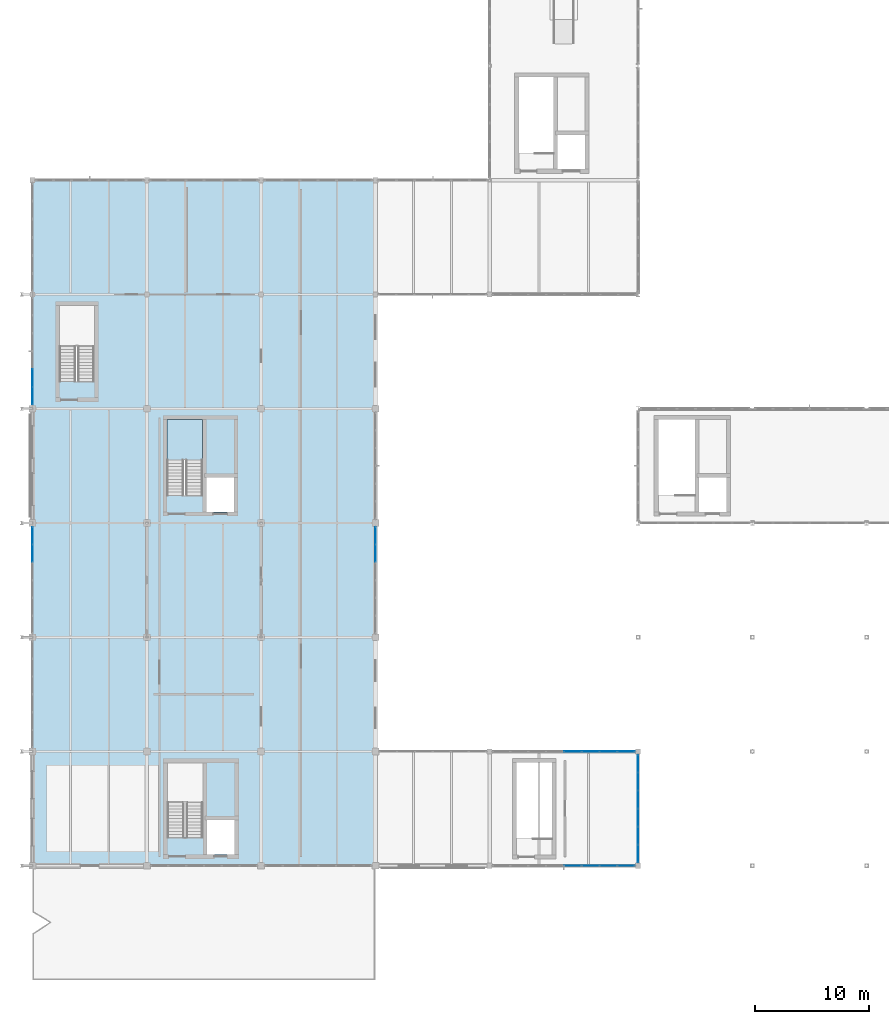
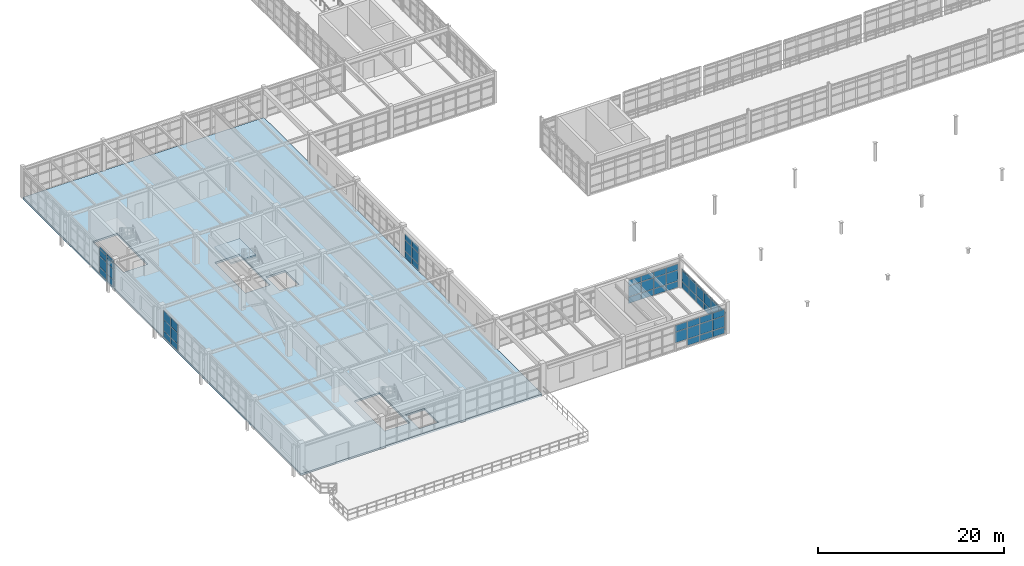
# One storey, part 75 of 122: 61 plates, 2 slabs, 7 elements without a shape of their own.
"""IFC4 building model written with IfcOpenShell, lengths in metres."""

from ifc_helpers import new_model, si_unit, direction, frame, origin, origin_2d, place, context, subcontext, project, spatial, polyline, rectangle, outline, extrude, material, layer, layer_set, type_object, element, aggregate, save


model = new_model("IFC4")

# Units and contexts
model_context = context("Model", 3, precision=1e-05, world=origin(), true_north=direction((0.0, 1.0)))
body_context = subcontext(model_context, "Body", "Model", "MODEL_VIEW")
ifc_project = project(units=[si_unit("LENGTHUNIT", "METRE"), si_unit("AREAUNIT", "SQUARE_METRE"), si_unit("VOLUMEUNIT", "CUBIC_METRE"), si_unit("PLANEANGLEUNIT", "RADIAN"), si_unit("MASSUNIT", "GRAM", prefix="KILO"), si_unit("THERMODYNAMICTEMPERATUREUNIT", "KELVIN"), si_unit("POWERUNIT", "WATT")], contexts=[model_context])

# Site, building, storey
site_placement = place(None, origin())
site = spatial("IfcSite", under=ifc_project, at=site_placement, CompositionType="ELEMENT")
building_placement = place(site_placement, origin())
building = spatial("IfcBuilding", under=site, at=building_placement, Name="Korenveer Ferry Terminal", CompositionType="ELEMENT")
storey_placement = place(building_placement, frame((0.0, 0.0, 10.199951171875)))
storey = spatial("IfcBuildingStorey", under=building, at=storey_placement, Name="L02", CompositionType="ELEMENT", Elevation=10.199951171875)

# Curtain wall, plates
ifc_material_1 = material(Name="Unitised bronze-and-glass curtain wall", Category="glass")
ifc_layer_1 = layer(ifc_material_1, 0.159912109375)
ifc_layer_set_1 = layer_set([ifc_layer_1], Name="Unitised bronze-and-glass curtain wall")
curtain_wall_type_1 = type_object("IfcCurtainWallType", Name="ENV-CW-84", PredefinedType="USERDEFINED", material=ifc_layer_set_1)
curtain_wall_1_placement = place(storey_placement, frame((40.2548828125, 20.0, 0.0)))
curtain_wall_1 = element("IfcCurtainWall", 1, at=curtain_wall_1_placement, inside=storey, type_object=curtain_wall_type_1, Name="Lancet curtain wall CWX-L02-X40-53-Y20-20", ObjectType="UNITISED CURTAIN WALL", PredefinedType="USERDEFINED")
ifc_material_2 = material(Name="Low-iron solar-control double glazing", Category="glass")
ifc_layer_2 = layer(ifc_material_2, 0.028076171875)
ifc_layer_set_2 = layer_set([ifc_layer_2], Name="Low-iron solar-control double glazing")
plate_type = type_object("IfcPlateType", Name="ENV-CWP-GLZ28", PredefinedType="CURTAIN_PANEL", material=ifc_layer_set_2)
plate_1_placement = place(storey_placement, frame((47.280517578125, 20.0, 0.93017578125), z_axis=(0.0, 0.0, 1.0), x_axis=(1.0, 0.0, 0.0)))
plate_1 = element("IfcPlate", 2, at=plate_1_placement, type_object=plate_type, Name="CW-84 panel 5.2", PredefinedType="CURTAIN_PANEL", context=body_context, shape_type="SweptSolid", body=[
    extrude(rectangle(XDim=1.501220703125, YDim=0.028076171875, at=origin_2d()), origin(), (0.0, 0.0, 1.0), 1.389892578125),
])
plate_2_placement = place(storey_placement, frame((47.280517578125, 20.0, 2.3798828125), z_axis=(0.0, 0.0, 1.0), x_axis=(1.0, 0.0, 0.0)))
plate_2 = element("IfcPlate", 3, at=plate_2_placement, type_object=plate_type, Name="CW-84 panel 5.3", PredefinedType="CURTAIN_PANEL", context=body_context, shape_type="SweptSolid", body=[
    extrude(rectangle(XDim=1.501220703125, YDim=0.028076171875, at=origin_2d()), origin(), (0.0, 0.0, 1.0), 0.840087890625),
])
plate_3_placement = place(storey_placement, frame((48.841796875, 20.0, 0.06005859375), z_axis=(0.0, 0.0, 1.0), x_axis=(1.0, 0.0, 0.0)))
plate_3 = element("IfcPlate", 4, at=plate_3_placement, type_object=plate_type, Name="CW-84 panel 6.1", PredefinedType="CURTAIN_PANEL", context=body_context, shape_type="SweptSolid", body=[
    extrude(rectangle(XDim=1.501220703125, YDim=0.028076171875, at=origin_2d()), origin(), (0.0, 0.0, 1.0), 0.81005859375),
])
plate_4_placement = place(storey_placement, frame((48.841796875, 20.0, 0.93017578125), z_axis=(0.0, 0.0, 1.0), x_axis=(1.0, 0.0, 0.0)))
plate_4 = element("IfcPlate", 5, at=plate_4_placement, type_object=plate_type, Name="CW-84 panel 6.2", PredefinedType="CURTAIN_PANEL", context=body_context, shape_type="SweptSolid", body=[
    extrude(rectangle(XDim=1.501220703125, YDim=0.028076171875, at=origin_2d()), origin(), (0.0, 0.0, 1.0), 1.389892578125),
])
plate_5_placement = place(storey_placement, frame((48.841796875, 20.0, 2.3798828125), z_axis=(0.0, 0.0, 1.0), x_axis=(1.0, 0.0, 0.0)))
plate_5 = element("IfcPlate", 6, at=plate_5_placement, type_object=plate_type, Name="CW-84 panel 6.3", PredefinedType="CURTAIN_PANEL", context=body_context, shape_type="SweptSolid", body=[
    extrude(rectangle(XDim=1.501220703125, YDim=0.028076171875, at=origin_2d()), origin(), (0.0, 0.0, 1.0), 0.840087890625),
])
plate_6_placement = place(storey_placement, frame((50.403076171875, 20.0, 0.06005859375), z_axis=(0.0, 0.0, 1.0), x_axis=(1.0, 0.0, 0.0)))
plate_6 = element("IfcPlate", 7, at=plate_6_placement, type_object=plate_type, Name="CW-84 panel 7.1", PredefinedType="CURTAIN_PANEL", context=body_context, shape_type="SweptSolid", body=[
    extrude(rectangle(XDim=1.501220703125, YDim=0.028076171875, at=origin_2d()), origin(), (0.0, 0.0, 1.0), 0.81005859375),
])
plate_7_placement = place(storey_placement, frame((50.403076171875, 20.0, 0.93017578125), z_axis=(0.0, 0.0, 1.0), x_axis=(1.0, 0.0, 0.0)))
plate_7 = element("IfcPlate", 8, at=plate_7_placement, type_object=plate_type, Name="CW-84 panel 7.2", PredefinedType="CURTAIN_PANEL", context=body_context, shape_type="SweptSolid", body=[
    extrude(rectangle(XDim=1.501220703125, YDim=0.028076171875, at=origin_2d()), origin(), (0.0, 0.0, 1.0), 1.389892578125),
])
plate_8_placement = place(storey_placement, frame((50.403076171875, 20.0, 2.3798828125), z_axis=(0.0, 0.0, 1.0), x_axis=(1.0, 0.0, 0.0)))
plate_8 = element("IfcPlate", 9, at=plate_8_placement, type_object=plate_type, Name="CW-84 panel 7.3", PredefinedType="CURTAIN_PANEL", context=body_context, shape_type="SweptSolid", body=[
    extrude(rectangle(XDim=1.501220703125, YDim=0.028076171875, at=origin_2d()), origin(), (0.0, 0.0, 1.0), 0.840087890625),
])
plate_9_placement = place(storey_placement, frame((51.949462890625, 20.0, 0.06005859375), z_axis=(0.0, 0.0, 1.0), x_axis=(1.0, 0.0, 0.0)))
plate_9 = element("IfcPlate", 10, at=plate_9_placement, type_object=plate_type, Name="CW-84 panel 8.1", PredefinedType="CURTAIN_PANEL", context=body_context, shape_type="SweptSolid", body=[
    extrude(rectangle(XDim=1.47119140625, YDim=0.028076171875, at=origin_2d()), origin(), (0.0, 0.0, 1.0), 0.81005859375),
])
plate_10_placement = place(storey_placement, frame((51.949462890625, 20.0, 0.93017578125), z_axis=(0.0, 0.0, 1.0), x_axis=(1.0, 0.0, 0.0)))
plate_10 = element("IfcPlate", 11, at=plate_10_placement, type_object=plate_type, Name="CW-84 panel 8.2", PredefinedType="CURTAIN_PANEL", context=body_context, shape_type="SweptSolid", body=[
    extrude(rectangle(XDim=1.47119140625, YDim=0.028076171875, at=origin_2d()), origin(), (0.0, 0.0, 1.0), 1.389892578125),
])
plate_11_placement = place(storey_placement, frame((51.949462890625, 20.0, 2.3798828125), z_axis=(0.0, 0.0, 1.0), x_axis=(1.0, 0.0, 0.0)))
plate_11 = element("IfcPlate", 12, at=plate_11_placement, type_object=plate_type, Name="CW-84 panel 8.3", PredefinedType="CURTAIN_PANEL", context=body_context, shape_type="SweptSolid", body=[
    extrude(rectangle(XDim=1.47119140625, YDim=0.028076171875, at=origin_2d()), origin(), (0.0, 0.0, 1.0), 0.840087890625),
])
aggregate(curtain_wall_1, [plate_1, plate_2, plate_3, plate_4, plate_5, plate_6, plate_7, plate_8, plate_9, plate_10, plate_11])

ifc_layer_3 = layer(ifc_material_1, 0.159912109375)
ifc_layer_set_3 = layer_set([ifc_layer_3], Name="Unitised bronze-and-glass curtain wall")
curtain_wall_type_2 = type_object("IfcCurtainWallType", Name="ENV-CW-85", PredefinedType="USERDEFINED", material=ifc_layer_set_3)
curtain_wall_2_placement = place(storey_placement, frame((40.2548828125, 30.0, 0.0)))
curtain_wall_2 = element("IfcCurtainWall", 13, at=curtain_wall_2_placement, inside=storey, type_object=curtain_wall_type_2, Name="Lancet curtain wall CWX-L02-X40-53-Y30-30", ObjectType="UNITISED CURTAIN WALL", PredefinedType="USERDEFINED")
plate_12_placement = place(storey_placement, frame((47.280517578125, 30.0, 0.06005859375), z_axis=(0.0, 0.0, 1.0), x_axis=(1.0, 0.0, 0.0)))
plate_12 = element("IfcPlate", 14, at=plate_12_placement, type_object=plate_type, Name="CW-85 panel 5.1", PredefinedType="CURTAIN_PANEL", context=body_context, shape_type="SweptSolid", body=[
    extrude(rectangle(XDim=1.501220703125, YDim=0.028076171875, at=origin_2d()), origin(), (0.0, 0.0, 1.0), 0.81005859375),
])
plate_13_placement = place(storey_placement, frame((47.280517578125, 30.0, 0.93017578125), z_axis=(0.0, 0.0, 1.0), x_axis=(1.0, 0.0, 0.0)))
plate_13 = element("IfcPlate", 15, at=plate_13_placement, type_object=plate_type, Name="CW-85 panel 5.2", PredefinedType="CURTAIN_PANEL", context=body_context, shape_type="SweptSolid", body=[
    extrude(rectangle(XDim=1.501220703125, YDim=0.028076171875, at=origin_2d()), origin(), (0.0, 0.0, 1.0), 1.389892578125),
])
plate_14_placement = place(storey_placement, frame((47.280517578125, 30.0, 2.3798828125), z_axis=(0.0, 0.0, 1.0), x_axis=(1.0, 0.0, 0.0)))
plate_14 = element("IfcPlate", 16, at=plate_14_placement, type_object=plate_type, Name="CW-85 panel 5.3", PredefinedType="CURTAIN_PANEL", context=body_context, shape_type="SweptSolid", body=[
    extrude(rectangle(XDim=1.501220703125, YDim=0.028076171875, at=origin_2d()), origin(), (0.0, 0.0, 1.0), 0.739990234375),
])
plate_15_placement = place(storey_placement, frame((48.841796875, 30.0, 0.06005859375), z_axis=(0.0, 0.0, 1.0), x_axis=(1.0, 0.0, 0.0)))
plate_15 = element("IfcPlate", 17, at=plate_15_placement, type_object=plate_type, Name="CW-85 panel 6.1", PredefinedType="CURTAIN_PANEL", context=body_context, shape_type="SweptSolid", body=[
    extrude(rectangle(XDim=1.501220703125, YDim=0.028076171875, at=origin_2d()), origin(), (0.0, 0.0, 1.0), 0.81005859375),
])
plate_16_placement = place(storey_placement, frame((48.841796875, 30.0, 0.93017578125), z_axis=(0.0, 0.0, 1.0), x_axis=(1.0, 0.0, 0.0)))
plate_16 = element("IfcPlate", 18, at=plate_16_placement, type_object=plate_type, Name="CW-85 panel 6.2", PredefinedType="CURTAIN_PANEL", context=body_context, shape_type="SweptSolid", body=[
    extrude(rectangle(XDim=1.501220703125, YDim=0.028076171875, at=origin_2d()), origin(), (0.0, 0.0, 1.0), 1.389892578125),
])
plate_17_placement = place(storey_placement, frame((48.841796875, 30.0, 2.3798828125), z_axis=(0.0, 0.0, 1.0), x_axis=(1.0, 0.0, 0.0)))
plate_17 = element("IfcPlate", 19, at=plate_17_placement, type_object=plate_type, Name="CW-85 panel 6.3", PredefinedType="CURTAIN_PANEL", context=body_context, shape_type="SweptSolid", body=[
    extrude(rectangle(XDim=1.501220703125, YDim=0.028076171875, at=origin_2d()), origin(), (0.0, 0.0, 1.0), 0.739990234375),
])
plate_18_placement = place(storey_placement, frame((50.403076171875, 30.0, 0.06005859375), z_axis=(0.0, 0.0, 1.0), x_axis=(1.0, 0.0, 0.0)))
plate_18 = element("IfcPlate", 20, at=plate_18_placement, type_object=plate_type, Name="CW-85 panel 7.1", PredefinedType="CURTAIN_PANEL", context=body_context, shape_type="SweptSolid", body=[
    extrude(rectangle(XDim=1.501220703125, YDim=0.028076171875, at=origin_2d()), origin(), (0.0, 0.0, 1.0), 0.81005859375),
])
plate_19_placement = place(storey_placement, frame((50.403076171875, 30.0, 0.93017578125), z_axis=(0.0, 0.0, 1.0), x_axis=(1.0, 0.0, 0.0)))
plate_19 = element("IfcPlate", 21, at=plate_19_placement, type_object=plate_type, Name="CW-85 panel 7.2", PredefinedType="CURTAIN_PANEL", context=body_context, shape_type="SweptSolid", body=[
    extrude(rectangle(XDim=1.501220703125, YDim=0.028076171875, at=origin_2d()), origin(), (0.0, 0.0, 1.0), 1.389892578125),
])
plate_20_placement = place(storey_placement, frame((50.403076171875, 30.0, 2.3798828125), z_axis=(0.0, 0.0, 1.0), x_axis=(1.0, 0.0, 0.0)))
plate_20 = element("IfcPlate", 22, at=plate_20_placement, type_object=plate_type, Name="CW-85 panel 7.3", PredefinedType="CURTAIN_PANEL", context=body_context, shape_type="SweptSolid", body=[
    extrude(rectangle(XDim=1.501220703125, YDim=0.028076171875, at=origin_2d()), origin(), (0.0, 0.0, 1.0), 0.739990234375),
])
plate_21_placement = place(storey_placement, frame((51.949462890625, 30.0, 0.06005859375), z_axis=(0.0, 0.0, 1.0), x_axis=(1.0, 0.0, 0.0)))
plate_21 = element("IfcPlate", 23, at=plate_21_placement, type_object=plate_type, Name="CW-85 panel 8.1", PredefinedType="CURTAIN_PANEL", context=body_context, shape_type="SweptSolid", body=[
    extrude(rectangle(XDim=1.47119140625, YDim=0.028076171875, at=origin_2d()), origin(), (0.0, 0.0, 1.0), 0.81005859375),
])
plate_22_placement = place(storey_placement, frame((51.949462890625, 30.0, 0.93017578125), z_axis=(0.0, 0.0, 1.0), x_axis=(1.0, 0.0, 0.0)))
plate_22 = element("IfcPlate", 24, at=plate_22_placement, type_object=plate_type, Name="CW-85 panel 8.2", PredefinedType="CURTAIN_PANEL", context=body_context, shape_type="SweptSolid", body=[
    extrude(rectangle(XDim=1.47119140625, YDim=0.028076171875, at=origin_2d()), origin(), (0.0, 0.0, 1.0), 1.389892578125),
])
plate_23_placement = place(storey_placement, frame((51.949462890625, 30.0, 2.3798828125), z_axis=(0.0, 0.0, 1.0), x_axis=(1.0, 0.0, 0.0)))
plate_23 = element("IfcPlate", 25, at=plate_23_placement, type_object=plate_type, Name="CW-85 panel 8.3", PredefinedType="CURTAIN_PANEL", context=body_context, shape_type="SweptSolid", body=[
    extrude(rectangle(XDim=1.47119140625, YDim=0.028076171875, at=origin_2d()), origin(), (0.0, 0.0, 1.0), 0.739990234375),
])
aggregate(curtain_wall_2, [plate_12, plate_13, plate_14, plate_15, plate_16, plate_17, plate_18, plate_19, plate_20, plate_21, plate_22, plate_23])

ifc_layer_4 = layer(ifc_material_1, 0.159912109375)
ifc_layer_set_4 = layer_set([ifc_layer_4], Name="Unitised bronze-and-glass curtain wall")
curtain_wall_type_3 = type_object("IfcCurtainWallType", Name="ENV-CW-105", PredefinedType="USERDEFINED", material=ifc_layer_set_4)
curtain_wall_3_placement = place(storey_placement, frame((0.0, 40.330078125, 0.0)))
curtain_wall_3 = element("IfcCurtainWall", 26, at=curtain_wall_3_placement, inside=storey, type_object=curtain_wall_type_3, Name="Lancet curtain wall CWX-L02-X0-0-Y40-50", ObjectType="UNITISED CURTAIN WALL", PredefinedType="USERDEFINED")
plate_24_placement = place(storey_placement, frame((0.0, 47.3349609375, 0.06005859375), z_axis=(0.0, 0.0, 1.0), x_axis=(0.0, 1.0, 0.0)))
plate_24 = element("IfcPlate", 27, at=plate_24_placement, type_object=plate_type, Name="CW-105 panel 5.1", PredefinedType="CURTAIN_PANEL", context=body_context, shape_type="SweptSolid", body=[
    extrude(rectangle(XDim=1.49658203125, YDim=0.028076171875, at=origin_2d()), origin(), (0.0, 0.0, 1.0), 0.81005859375),
])
plate_25_placement = place(storey_placement, frame((0.0, 47.3349609375, 0.93017578125), z_axis=(0.0, 0.0, 1.0), x_axis=(0.0, 1.0, 0.0)))
plate_25 = element("IfcPlate", 28, at=plate_25_placement, type_object=plate_type, Name="CW-105 panel 5.2", PredefinedType="CURTAIN_PANEL", context=body_context, shape_type="SweptSolid", body=[
    extrude(rectangle(XDim=1.49658203125, YDim=0.028076171875, at=origin_2d()), origin(), (0.0, 0.0, 1.0), 1.389892578125),
])
plate_26_placement = place(storey_placement, frame((0.0, 47.3349609375, 2.380126953125), z_axis=(0.0, 0.0, 1.0), x_axis=(0.0, 1.0, 0.0)))
plate_26 = element("IfcPlate", 29, at=plate_26_placement, type_object=plate_type, Name="CW-105 panel 5.3", PredefinedType="CURTAIN_PANEL", context=body_context, shape_type="SweptSolid", body=[
    extrude(rectangle(XDim=1.49658203125, YDim=0.028076171875, at=origin_2d()), origin(), (0.0, 0.0, 1.0), 1.1298828125),
])
plate_27_placement = place(storey_placement, frame((0.0, 48.876708984375, 0.06005859375), z_axis=(0.0, 0.0, 1.0), x_axis=(0.0, 1.0, 0.0)))
plate_27 = element("IfcPlate", 30, at=plate_27_placement, type_object=plate_type, Name="CW-105 panel 6.1", PredefinedType="CURTAIN_PANEL", context=body_context, shape_type="SweptSolid", body=[
    extrude(rectangle(XDim=1.466552734375, YDim=0.028076171875, at=origin_2d()), origin(), (0.0, 0.0, 1.0), 0.81005859375),
])
plate_28_placement = place(storey_placement, frame((0.0, 48.876708984375, 0.93017578125), z_axis=(0.0, 0.0, 1.0), x_axis=(0.0, 1.0, 0.0)))
plate_28 = element("IfcPlate", 31, at=plate_28_placement, type_object=plate_type, Name="CW-105 panel 6.2", PredefinedType="CURTAIN_PANEL", context=body_context, shape_type="SweptSolid", body=[
    extrude(rectangle(XDim=1.466552734375, YDim=0.028076171875, at=origin_2d()), origin(), (0.0, 0.0, 1.0), 1.389892578125),
])
plate_29_placement = place(storey_placement, frame((0.0, 48.876708984375, 2.380126953125), z_axis=(0.0, 0.0, 1.0), x_axis=(0.0, 1.0, 0.0)))
plate_29 = element("IfcPlate", 32, at=plate_29_placement, type_object=plate_type, Name="CW-105 panel 6.3", PredefinedType="CURTAIN_PANEL", context=body_context, shape_type="SweptSolid", body=[
    extrude(rectangle(XDim=1.466552734375, YDim=0.028076171875, at=origin_2d()), origin(), (0.0, 0.0, 1.0), 1.1298828125),
])
aggregate(curtain_wall_3, [plate_24, plate_25, plate_26, plate_27, plate_28, plate_29])

ifc_layer_5 = layer(ifc_material_1, 0.159912109375)
ifc_layer_set_5 = layer_set([ifc_layer_5], Name="Unitised bronze-and-glass curtain wall")
curtain_wall_type_4 = type_object("IfcCurtainWallType", Name="ENV-CW-106", PredefinedType="USERDEFINED", material=ifc_layer_set_5)
curtain_wall_4_placement = place(storey_placement, frame((0.0, 60.330078125, 0.0)))
curtain_wall_4 = element("IfcCurtainWall", 33, at=curtain_wall_4_placement, inside=storey, type_object=curtain_wall_type_4, Name="Lancet curtain wall CWX-L02-X0-0-Y60-70", ObjectType="UNITISED CURTAIN WALL", PredefinedType="USERDEFINED")
plate_30_placement = place(storey_placement, frame((0.0, 61.129638671875, 0.06005859375), z_axis=(0.0, 0.0, 1.0), x_axis=(0.0, 1.0, 0.0)))
plate_30 = element("IfcPlate", 34, at=plate_30_placement, type_object=plate_type, Name="CW-106 panel 1.1", PredefinedType="CURTAIN_PANEL", context=body_context, shape_type="SweptSolid", body=[
    extrude(rectangle(XDim=1.479248046875, YDim=0.028076171875, at=origin_2d()), origin(), (0.0, 0.0, 1.0), 0.81005859375),
])
plate_31_placement = place(storey_placement, frame((0.0, 61.129638671875, 0.93017578125), z_axis=(0.0, 0.0, 1.0), x_axis=(0.0, 1.0, 0.0)))
plate_31 = element("IfcPlate", 35, at=plate_31_placement, type_object=plate_type, Name="CW-106 panel 1.2", PredefinedType="CURTAIN_PANEL", context=body_context, shape_type="SweptSolid", body=[
    extrude(rectangle(XDim=1.479248046875, YDim=0.028076171875, at=origin_2d()), origin(), (0.0, 0.0, 1.0), 1.389892578125),
])
plate_32_placement = place(storey_placement, frame((0.0, 61.129638671875, 2.3798828125), z_axis=(0.0, 0.0, 1.0), x_axis=(0.0, 1.0, 0.0)))
plate_32 = element("IfcPlate", 36, at=plate_32_placement, type_object=plate_type, Name="CW-106 panel 1.3", PredefinedType="CURTAIN_PANEL", context=body_context, shape_type="SweptSolid", body=[
    extrude(rectangle(XDim=1.479248046875, YDim=0.028076171875, at=origin_2d()), origin(), (0.0, 0.0, 1.0), 0.840087890625),
])
plate_33_placement = place(storey_placement, frame((0.0, 61.129638671875, 3.280029296875), z_axis=(0.0, 0.0, 1.0), x_axis=(0.0, 1.0, 0.0)))
plate_33 = element("IfcPlate", 37, at=plate_33_placement, type_object=plate_type, Name="CW-106 panel 1.4", PredefinedType="CURTAIN_PANEL", context=body_context, shape_type="SweptSolid", body=[
    extrude(rectangle(XDim=1.479248046875, YDim=0.028076171875, at=origin_2d()), origin(), (0.0, 0.0, 1.0), 0.330078125),
])
plate_34_placement = place(storey_placement, frame((0.0, 62.683837890625, 0.06005859375), z_axis=(0.0, 0.0, 1.0), x_axis=(0.0, 1.0, 0.0)))
plate_34 = element("IfcPlate", 38, at=plate_34_placement, type_object=plate_type, Name="CW-106 panel 2.1", PredefinedType="CURTAIN_PANEL", context=body_context, shape_type="SweptSolid", body=[
    extrude(rectangle(XDim=1.50927734375, YDim=0.028076171875, at=origin_2d()), origin(), (0.0, 0.0, 1.0), 0.81005859375),
])
plate_35_placement = place(storey_placement, frame((0.0, 62.683837890625, 0.93017578125), z_axis=(0.0, 0.0, 1.0), x_axis=(0.0, 1.0, 0.0)))
plate_35 = element("IfcPlate", 39, at=plate_35_placement, type_object=plate_type, Name="CW-106 panel 2.2", PredefinedType="CURTAIN_PANEL", context=body_context, shape_type="SweptSolid", body=[
    extrude(rectangle(XDim=1.50927734375, YDim=0.028076171875, at=origin_2d()), origin(), (0.0, 0.0, 1.0), 1.389892578125),
])
plate_36_placement = place(storey_placement, frame((0.0, 62.683837890625, 2.3798828125), z_axis=(0.0, 0.0, 1.0), x_axis=(0.0, 1.0, 0.0)))
plate_36 = element("IfcPlate", 40, at=plate_36_placement, type_object=plate_type, Name="CW-106 panel 2.3", PredefinedType="CURTAIN_PANEL", context=body_context, shape_type="SweptSolid", body=[
    extrude(rectangle(XDim=1.50927734375, YDim=0.028076171875, at=origin_2d()), origin(), (0.0, 0.0, 1.0), 0.840087890625),
])
plate_37_placement = place(storey_placement, frame((0.0, 62.683837890625, 3.280029296875), z_axis=(0.0, 0.0, 1.0), x_axis=(0.0, 1.0, 0.0)))
plate_37 = element("IfcPlate", 41, at=plate_37_placement, type_object=plate_type, Name="CW-106 panel 2.4", PredefinedType="CURTAIN_PANEL", context=body_context, shape_type="SweptSolid", body=[
    extrude(rectangle(XDim=1.50927734375, YDim=0.028076171875, at=origin_2d()), origin(), (0.0, 0.0, 1.0), 0.330078125),
])
aggregate(curtain_wall_4, [plate_30, plate_31, plate_32, plate_33, plate_34, plate_35, plate_36, plate_37])

ifc_layer_6 = layer(ifc_material_1, 0.159912109375)
ifc_layer_set_6 = layer_set([ifc_layer_6], Name="Unitised bronze-and-glass curtain wall")
curtain_wall_type_5 = type_object("IfcCurtainWallType", Name="ENV-CW-108", PredefinedType="USERDEFINED", material=ifc_layer_set_6)
curtain_wall_5_placement = place(storey_placement, frame((30.0, 49.669921875, 0.0)))
curtain_wall_5 = element("IfcCurtainWall", 42, at=curtain_wall_5_placement, inside=storey, type_object=curtain_wall_type_5, Name="Lancet curtain wall CWX-L02-X30-30-Y40-50", ObjectType="UNITISED CURTAIN WALL", PredefinedType="USERDEFINED")
plate_38_placement = place(storey_placement, frame((30.0, 48.876708984375, 0.06005859375), z_axis=(0.0, 0.0, 1.0), x_axis=(0.0, -1.0, 0.0)))
plate_38 = element("IfcPlate", 43, at=plate_38_placement, type_object=plate_type, Name="CW-108 panel 1.1", PredefinedType="CURTAIN_PANEL", context=body_context, shape_type="SweptSolid", body=[
    extrude(rectangle(XDim=1.466552734375, YDim=0.028076171875, at=origin_2d()), origin(), (0.0, 0.0, 1.0), 0.81005859375),
])
plate_39_placement = place(storey_placement, frame((30.0, 48.876708984375, 0.93017578125), z_axis=(0.0, 0.0, 1.0), x_axis=(0.0, -1.0, 0.0)))
plate_39 = element("IfcPlate", 44, at=plate_39_placement, type_object=plate_type, Name="CW-108 panel 1.2", PredefinedType="CURTAIN_PANEL", context=body_context, shape_type="SweptSolid", body=[
    extrude(rectangle(XDim=1.466552734375, YDim=0.028076171875, at=origin_2d()), origin(), (0.0, 0.0, 1.0), 1.389892578125),
])
plate_40_placement = place(storey_placement, frame((30.0, 48.876708984375, 2.380126953125), z_axis=(0.0, 0.0, 1.0), x_axis=(0.0, -1.0, 0.0)))
plate_40 = element("IfcPlate", 45, at=plate_40_placement, type_object=plate_type, Name="CW-108 panel 1.3", PredefinedType="CURTAIN_PANEL", context=body_context, shape_type="SweptSolid", body=[
    extrude(rectangle(XDim=1.466552734375, YDim=0.028076171875, at=origin_2d()), origin(), (0.0, 0.0, 1.0), 0.830078125),
])
plate_41_placement = place(storey_placement, frame((30.0, 47.3349609375, 0.06005859375), z_axis=(0.0, 0.0, 1.0), x_axis=(0.0, -1.0, 0.0)))
plate_41 = element("IfcPlate", 46, at=plate_41_placement, type_object=plate_type, Name="CW-108 panel 2.1", PredefinedType="CURTAIN_PANEL", context=body_context, shape_type="SweptSolid", body=[
    extrude(rectangle(XDim=1.49658203125, YDim=0.028076171875, at=origin_2d()), origin(), (0.0, 0.0, 1.0), 0.81005859375),
])
plate_42_placement = place(storey_placement, frame((30.0, 47.3349609375, 0.93017578125), z_axis=(0.0, 0.0, 1.0), x_axis=(0.0, -1.0, 0.0)))
plate_42 = element("IfcPlate", 47, at=plate_42_placement, type_object=plate_type, Name="CW-108 panel 2.2", PredefinedType="CURTAIN_PANEL", context=body_context, shape_type="SweptSolid", body=[
    extrude(rectangle(XDim=1.49658203125, YDim=0.028076171875, at=origin_2d()), origin(), (0.0, 0.0, 1.0), 1.389892578125),
])
plate_43_placement = place(storey_placement, frame((30.0, 47.3349609375, 2.380126953125), z_axis=(0.0, 0.0, 1.0), x_axis=(0.0, -1.0, 0.0)))
plate_43 = element("IfcPlate", 48, at=plate_43_placement, type_object=plate_type, Name="CW-108 panel 2.3", PredefinedType="CURTAIN_PANEL", context=body_context, shape_type="SweptSolid", body=[
    extrude(rectangle(XDim=1.49658203125, YDim=0.028076171875, at=origin_2d()), origin(), (0.0, 0.0, 1.0), 0.830078125),
])
aggregate(curtain_wall_5, [plate_38, plate_39, plate_40, plate_41, plate_42, plate_43])

ifc_layer_7 = layer(ifc_material_1, 0.159912109375)
ifc_layer_set_7 = layer_set([ifc_layer_7], Name="Unitised bronze-and-glass curtain wall")
curtain_wall_type_6 = type_object("IfcCurtainWallType", Name="ENV-CW-114", PredefinedType="USERDEFINED", material=ifc_layer_set_7)
curtain_wall_6_placement = place(storey_placement, frame((53.0, 29.7451171875, 0.0)))
curtain_wall_6 = element("IfcCurtainWall", 49, at=curtain_wall_6_placement, inside=storey, type_object=curtain_wall_type_6, Name="Lancet curtain wall CWX-L02-X53-53-Y20-30", ObjectType="UNITISED CURTAIN WALL", PredefinedType="USERDEFINED")
plate_44_placement = place(storey_placement, frame((53.0, 28.939208984375, 0.06005859375), z_axis=(0.0, 0.0, 1.0), x_axis=(0.0, -1.0, 0.0)))
plate_44 = element("IfcPlate", 50, at=plate_44_placement, type_object=plate_type, Name="CW-114 panel 1.1", PredefinedType="CURTAIN_PANEL", context=body_context, shape_type="SweptSolid", body=[
    extrude(rectangle(XDim=1.49169921875, YDim=0.028076171875, at=origin_2d()), origin(), (0.0, 0.0, 1.0), 0.81005859375),
])
plate_45_placement = place(storey_placement, frame((53.0, 28.939208984375, 0.93017578125), z_axis=(0.0, 0.0, 1.0), x_axis=(0.0, -1.0, 0.0)))
plate_45 = element("IfcPlate", 51, at=plate_45_placement, type_object=plate_type, Name="CW-114 panel 1.2", PredefinedType="CURTAIN_PANEL", context=body_context, shape_type="SweptSolid", body=[
    extrude(rectangle(XDim=1.49169921875, YDim=0.028076171875, at=origin_2d()), origin(), (0.0, 0.0, 1.0), 1.389892578125),
])
plate_46_placement = place(storey_placement, frame((53.0, 28.939208984375, 2.3798828125), z_axis=(0.0, 0.0, 1.0), x_axis=(0.0, -1.0, 0.0)))
plate_46 = element("IfcPlate", 52, at=plate_46_placement, type_object=plate_type, Name="CW-114 panel 1.3", PredefinedType="CURTAIN_PANEL", context=body_context, shape_type="SweptSolid", body=[
    extrude(rectangle(XDim=1.49169921875, YDim=0.028076171875, at=origin_2d()), origin(), (0.0, 0.0, 1.0), 0.110107421875),
])
plate_47_placement = place(storey_placement, frame((53.0, 27.37255859375, 0.06005859375), z_axis=(0.0, 0.0, 1.0), x_axis=(0.0, -1.0, 0.0)))
plate_47 = element("IfcPlate", 53, at=plate_47_placement, type_object=plate_type, Name="CW-114 panel 2.1", PredefinedType="CURTAIN_PANEL", context=body_context, shape_type="SweptSolid", body=[
    extrude(rectangle(XDim=1.521728515625, YDim=0.028076171875, at=origin_2d()), origin(), (0.0, 0.0, 1.0), 0.81005859375),
])
plate_48_placement = place(storey_placement, frame((53.0, 27.37255859375, 0.93017578125), z_axis=(0.0, 0.0, 1.0), x_axis=(0.0, -1.0, 0.0)))
plate_48 = element("IfcPlate", 54, at=plate_48_placement, type_object=plate_type, Name="CW-114 panel 2.2", PredefinedType="CURTAIN_PANEL", context=body_context, shape_type="SweptSolid", body=[
    extrude(rectangle(XDim=1.521728515625, YDim=0.028076171875, at=origin_2d()), origin(), (0.0, 0.0, 1.0), 1.389892578125),
])
plate_49_placement = place(storey_placement, frame((53.0, 27.37255859375, 2.3798828125), z_axis=(0.0, 0.0, 1.0), x_axis=(0.0, -1.0, 0.0)))
plate_49 = element("IfcPlate", 55, at=plate_49_placement, type_object=plate_type, Name="CW-114 panel 2.3", PredefinedType="CURTAIN_PANEL", context=body_context, shape_type="SweptSolid", body=[
    extrude(rectangle(XDim=1.521728515625, YDim=0.028076171875, at=origin_2d()), origin(), (0.0, 0.0, 1.0), 0.110107421875),
])
plate_50_placement = place(storey_placement, frame((53.0, 25.790771484375, 0.06005859375), z_axis=(0.0, 0.0, 1.0), x_axis=(0.0, -1.0, 0.0)))
plate_50 = element("IfcPlate", 56, at=plate_50_placement, type_object=plate_type, Name="CW-114 panel 3.1", PredefinedType="CURTAIN_PANEL", context=body_context, shape_type="SweptSolid", body=[
    extrude(rectangle(XDim=1.521728515625, YDim=0.028076171875, at=origin_2d()), origin(), (0.0, 0.0, 1.0), 0.81005859375),
])
plate_51_placement = place(storey_placement, frame((53.0, 25.790771484375, 0.93017578125), z_axis=(0.0, 0.0, 1.0), x_axis=(0.0, -1.0, 0.0)))
plate_51 = element("IfcPlate", 57, at=plate_51_placement, type_object=plate_type, Name="CW-114 panel 3.2", PredefinedType="CURTAIN_PANEL", context=body_context, shape_type="SweptSolid", body=[
    extrude(rectangle(XDim=1.521728515625, YDim=0.028076171875, at=origin_2d()), origin(), (0.0, 0.0, 1.0), 1.389892578125),
])
plate_52_placement = place(storey_placement, frame((53.0, 25.790771484375, 2.3798828125), z_axis=(0.0, 0.0, 1.0), x_axis=(0.0, -1.0, 0.0)))
plate_52 = element("IfcPlate", 58, at=plate_52_placement, type_object=plate_type, Name="CW-114 panel 3.3", PredefinedType="CURTAIN_PANEL", context=body_context, shape_type="SweptSolid", body=[
    extrude(rectangle(XDim=1.521728515625, YDim=0.028076171875, at=origin_2d()), origin(), (0.0, 0.0, 1.0), 0.110107421875),
])
plate_53_placement = place(storey_placement, frame((53.0, 24.209228515625, 0.06005859375), z_axis=(0.0, 0.0, 1.0), x_axis=(0.0, -1.0, 0.0)))
plate_53 = element("IfcPlate", 59, at=plate_53_placement, type_object=plate_type, Name="CW-114 panel 4.1", PredefinedType="CURTAIN_PANEL", context=body_context, shape_type="SweptSolid", body=[
    extrude(rectangle(XDim=1.521728515625, YDim=0.028076171875, at=origin_2d()), origin(), (0.0, 0.0, 1.0), 0.81005859375),
])
plate_54_placement = place(storey_placement, frame((53.0, 24.209228515625, 0.93017578125), z_axis=(0.0, 0.0, 1.0), x_axis=(0.0, -1.0, 0.0)))
plate_54 = element("IfcPlate", 60, at=plate_54_placement, type_object=plate_type, Name="CW-114 panel 4.2", PredefinedType="CURTAIN_PANEL", context=body_context, shape_type="SweptSolid", body=[
    extrude(rectangle(XDim=1.521728515625, YDim=0.028076171875, at=origin_2d()), origin(), (0.0, 0.0, 1.0), 1.389892578125),
])
plate_55_placement = place(storey_placement, frame((53.0, 24.209228515625, 2.3798828125), z_axis=(0.0, 0.0, 1.0), x_axis=(0.0, -1.0, 0.0)))
plate_55 = element("IfcPlate", 61, at=plate_55_placement, type_object=plate_type, Name="CW-114 panel 4.3", PredefinedType="CURTAIN_PANEL", context=body_context, shape_type="SweptSolid", body=[
    extrude(rectangle(XDim=1.521728515625, YDim=0.028076171875, at=origin_2d()), origin(), (0.0, 0.0, 1.0), 0.110107421875),
])
plate_56_placement = place(storey_placement, frame((53.0, 22.62744140625, 0.06005859375), z_axis=(0.0, 0.0, 1.0), x_axis=(0.0, -1.0, 0.0)))
plate_56 = element("IfcPlate", 62, at=plate_56_placement, type_object=plate_type, Name="CW-114 panel 5.1", PredefinedType="CURTAIN_PANEL", context=body_context, shape_type="SweptSolid", body=[
    extrude(rectangle(XDim=1.521728515625, YDim=0.028076171875, at=origin_2d()), origin(), (0.0, 0.0, 1.0), 0.81005859375),
])
plate_57_placement = place(storey_placement, frame((53.0, 22.62744140625, 0.93017578125), z_axis=(0.0, 0.0, 1.0), x_axis=(0.0, -1.0, 0.0)))
plate_57 = element("IfcPlate", 63, at=plate_57_placement, type_object=plate_type, Name="CW-114 panel 5.2", PredefinedType="CURTAIN_PANEL", context=body_context, shape_type="SweptSolid", body=[
    extrude(rectangle(XDim=1.521728515625, YDim=0.028076171875, at=origin_2d()), origin(), (0.0, 0.0, 1.0), 1.389892578125),
])
plate_58_placement = place(storey_placement, frame((53.0, 22.62744140625, 2.3798828125), z_axis=(0.0, 0.0, 1.0), x_axis=(0.0, -1.0, 0.0)))
plate_58 = element("IfcPlate", 64, at=plate_58_placement, type_object=plate_type, Name="CW-114 panel 5.3", PredefinedType="CURTAIN_PANEL", context=body_context, shape_type="SweptSolid", body=[
    extrude(rectangle(XDim=1.521728515625, YDim=0.028076171875, at=origin_2d()), origin(), (0.0, 0.0, 1.0), 0.110107421875),
])
plate_59_placement = place(storey_placement, frame((53.0, 21.060791015625, 0.06005859375), z_axis=(0.0, 0.0, 1.0), x_axis=(0.0, -1.0, 0.0)))
plate_59 = element("IfcPlate", 65, at=plate_59_placement, type_object=plate_type, Name="CW-114 panel 6.1", PredefinedType="CURTAIN_PANEL", context=body_context, shape_type="SweptSolid", body=[
    extrude(rectangle(XDim=1.49169921875, YDim=0.028076171875, at=origin_2d()), origin(), (0.0, 0.0, 1.0), 0.81005859375),
])
plate_60_placement = place(storey_placement, frame((53.0, 21.060791015625, 0.93017578125), z_axis=(0.0, 0.0, 1.0), x_axis=(0.0, -1.0, 0.0)))
plate_60 = element("IfcPlate", 66, at=plate_60_placement, type_object=plate_type, Name="CW-114 panel 6.2", PredefinedType="CURTAIN_PANEL", context=body_context, shape_type="SweptSolid", body=[
    extrude(rectangle(XDim=1.49169921875, YDim=0.028076171875, at=origin_2d()), origin(), (0.0, 0.0, 1.0), 1.389892578125),
])
plate_61_placement = place(storey_placement, frame((53.0, 21.060791015625, 2.3798828125), z_axis=(0.0, 0.0, 1.0), x_axis=(0.0, -1.0, 0.0)))
plate_61 = element("IfcPlate", 67, at=plate_61_placement, type_object=plate_type, Name="CW-114 panel 6.3", PredefinedType="CURTAIN_PANEL", context=body_context, shape_type="SweptSolid", body=[
    extrude(rectangle(XDim=1.49169921875, YDim=0.028076171875, at=origin_2d()), origin(), (0.0, 0.0, 1.0), 0.110107421875),
])
aggregate(curtain_wall_6, [plate_44, plate_45, plate_46, plate_47, plate_48, plate_49, plate_50, plate_51, plate_52, plate_53, plate_54, plate_55, plate_56, plate_57, plate_58, plate_59, plate_60, plate_61])

# Stair, slab
ifc_material_3 = material(Name="Concrete C40/50", Category="concrete")
stair_type = type_object("IfcStairType", Name="INT-ST-03", PredefinedType="HALF_TURN_STAIR", material=ifc_material_3)
stair_placement = place(storey_placement, frame((14.135009765625, 52.409912109375, 0.0)))
stair = element("IfcStair", 68, at=stair_placement, inside=storey, type_object=stair_type, Name="L02 West Operations Core K2", PredefinedType="HALF_TURN_STAIR")
ifc_layer_8 = layer(ifc_material_3, 0.199951171875)
ifc_layer_set_8 = layer_set([ifc_layer_8], Name="Concrete C40/50")
slab_type_1 = type_object("IfcSlabType", Name="INT-SL-LAND200", PredefinedType="LANDING", material=ifc_layer_set_8)
slab_1_placement = place(storey_placement, frame((0.0, 0.0, 1.900146484375)))
slab_1 = element("IfcSlab", 69, at=slab_1_placement, type_object=slab_type_1, Name="ST02 landing 1", PredefinedType="LANDING", context=body_context, shape_type="SweptSolid", body=[
    extrude(outline(polyline([(14.860107421875, 55.489990234375), (14.860107421875, 59.0400390625), (11.760009765625, 59.0400390625), (11.760009765625, 55.489990234375), (14.860107421875, 55.489990234375)])), origin(), (0.0, 0.0, 1.0), 0.199951171875),
])
aggregate(stair, [slab_1])

# Slab
ifc_material_4 = material(Name="Concrete C35/45", Category="concrete")
ifc_layer_9 = layer(ifc_material_4, 0.25)
ifc_layer_set_9 = layer_set([ifc_layer_9], Name="Concrete C35/45")
slab_type_2 = type_object("IfcSlabType", Name="STR-SL-FLR250", PredefinedType="FLOOR", material=ifc_layer_set_9)
slab_2_placement = place(storey_placement, frame((0.0, 0.0, -0.25)))
element("IfcSlab", 70, at=slab_2_placement, inside=storey, type_object=slab_type_2, Name="Floor slab SL-L02-W1", PredefinedType="FLOOR", context=body_context, shape_type="SweptSolid", body=[
    extrude(outline(polyline([(0.0, 20.0), (30.0, 20.0), (30.0, 80.0), (0.0, 80.0), (0.0, 20.0)]), holes=[polyline([(14.89990234375, 22.449951171875), (14.89990234375, 29.0), (11.800048828125, 29.0), (11.800048828125, 22.449951171875), (14.89990234375, 22.449951171875)]), polyline([(15.260009765625, 21.0), (17.659912109375, 21.0), (17.659912109375, 24.0), (15.260009765625, 24.0), (15.260009765625, 21.0)]), polyline([(14.860107421875, 52.409912109375), (14.860107421875, 59.0400390625), (11.760009765625, 59.0400390625), (11.760009765625, 52.409912109375), (14.860107421875, 52.409912109375)]), polyline([(15.219970703125, 50.9599609375), (17.6201171875, 50.9599609375), (17.6201171875, 53.9599609375), (15.219970703125, 53.9599609375), (15.219970703125, 50.9599609375)]), polyline([(5.39990234375, 62.3798828125), (5.39990234375, 69.0400390625), (2.360107421875, 69.0400390625), (2.360107421875, 62.3798828125), (5.39990234375, 62.3798828125)])]), origin(), (0.0, 0.0, 1.0), 0.25),
])

save(model, "model.ifc")
